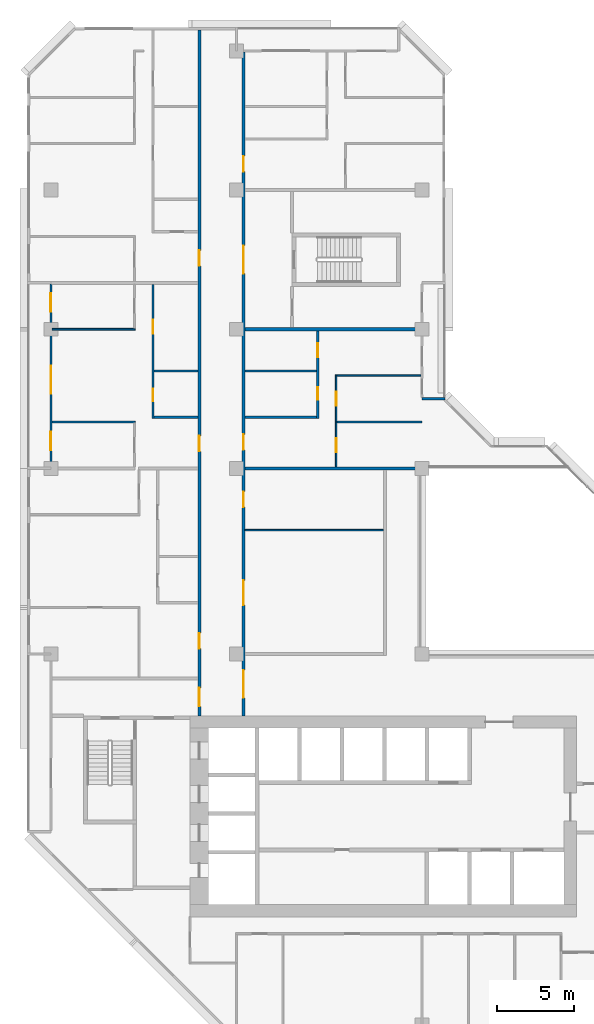
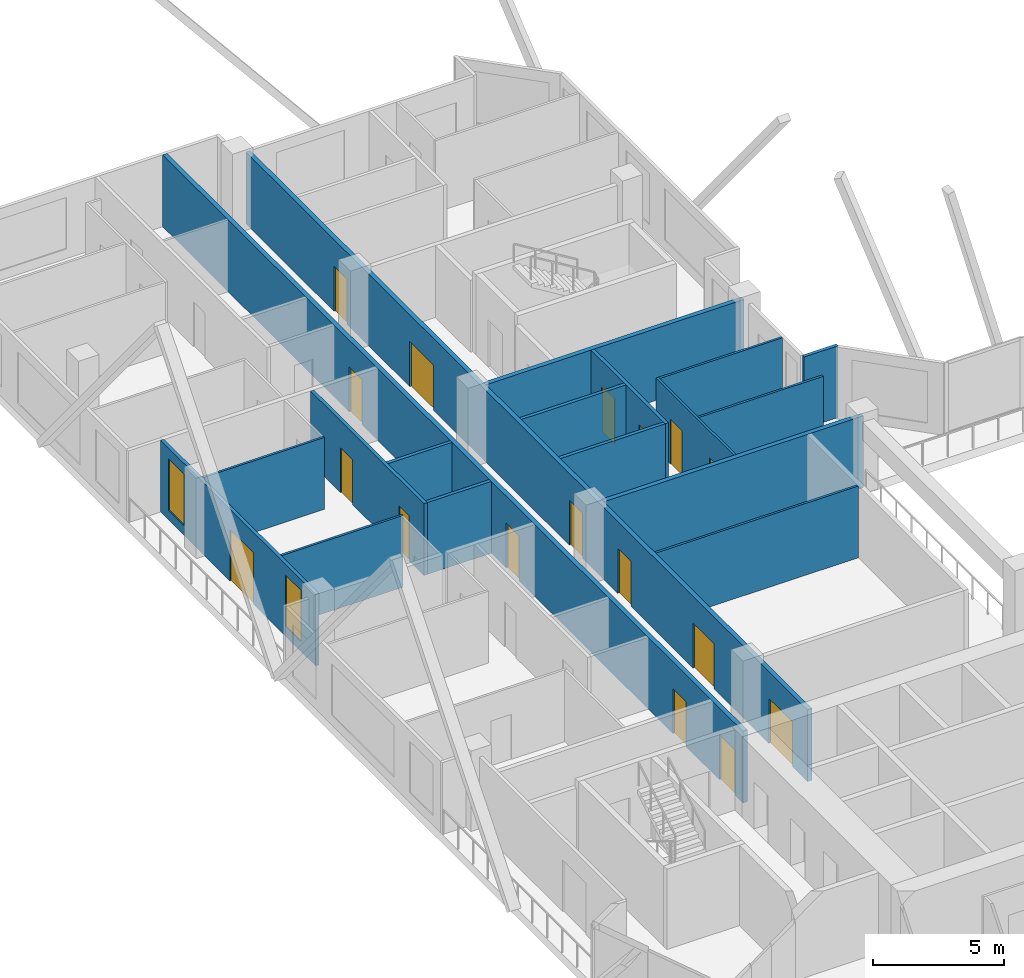
# One storey, part 9 of 15: 18 walls, 17 doors, 2 windows, 19 openings.
"""IFC4 building model written with IfcOpenShell, lengths in metres."""

import ifcopenshell
import ifcopenshell.guid

model = None  # the IFC model being written
_history = None  # IfcOwnerHistory: only IFC2X3 demands one
_inside = {}  # id of a spatial element -> (the spatial element, [elements in it])
_under = {}  # id of a project, library or spatial element -> (it, [spatial elements below it])
_declared = {}  # id of a project -> (the project, [libraries it declares])
_typed = {}  # id of a type object -> (the type object, [elements of that type])
_made_of = {}  # id of a material, layer set ... -> (it, [elements and type objects made of it])


def new_model(schema):
    """Start an empty IFC model of exactly this schema.

    Asked for "IFC4X3", IfcOpenShell would pick the latest addendum, in which some entities
    have other attributes; the version numbers below select the first issue.
    IFC2X3 requires an IfcOwnerHistory on every rooted entity: one is made here for all.
    """
    global model, _history
    if schema == "IFC4X3":
        model = ifcopenshell.file(schema_version=(4, 3, 0, 0))
    else:
        model = ifcopenshell.file(schema=schema)
    _inside.clear()
    _under.clear()
    _declared.clear()
    _typed.clear()
    _made_of.clear()
    _history = None
    if model.schema == "IFC2X3":
        org = make("IfcOrganization", Name="unknown")
        user = make(
            "IfcPersonAndOrganization",
            ThePerson=make("IfcPerson", FamilyName="unknown"),
            TheOrganization=org,
        )
        app = make(
            "IfcApplication",
            ApplicationDeveloper=org,
            Version="unknown",
            ApplicationFullName="unknown",
            ApplicationIdentifier="unknown",
        )
        _history = make(
            "IfcOwnerHistory",
            OwningUser=user,
            OwningApplication=app,
            ChangeAction="ADDED",
            CreationDate=0,
        )
    return model


def make(cls, **values):
    """One entity of the class cls with the attributes given. An attribute that is None is left unset."""
    return model.create_entity(
        cls, **{name: value for name, value in values.items() if value is not None}
    )


def rooted(cls, **values):
    """An entity with a GlobalId (a new one), such as an element, a storey or a relation."""
    return make(cls, GlobalId=ifcopenshell.guid.new(), OwnerHistory=_history, **values)


def si_unit(unit_type, name, prefix=None):
    """IfcSIUnit, for example si_unit("LENGTHUNIT", "METRE", prefix="MILLI")."""
    return make("IfcSIUnit", UnitType=unit_type, Prefix=prefix, Name=name)


def assignment(units):
    """IfcUnitAssignment: the units of a project."""
    return None if units is None else make("IfcUnitAssignment", Units=units)


def point(xyz):
    """IfcCartesianPoint."""
    return None if xyz is None else make("IfcCartesianPoint", Coordinates=xyz)


def direction(xyz):
    """IfcDirection."""
    return None if xyz is None else make("IfcDirection", DirectionRatios=xyz)


def frame(location, z_axis=None, x_axis=None):
    """IfcAxis2Placement3D, a coordinate frame: its origin and axes. An axis left out is left unset."""
    return make(
        "IfcAxis2Placement3D",
        Location=point(location),
        Axis=direction(z_axis),
        RefDirection=direction(x_axis),
    )


def frame_2d(location, x_axis=None):
    """IfcAxis2Placement2D, a coordinate frame in the plane: its origin and x axis."""
    return make(
        "IfcAxis2Placement2D", Location=point(location), RefDirection=direction(x_axis)
    )


def origin():
    """The frame at (0, 0, 0) with its axes left unset."""
    return frame((0.0, 0.0, 0.0))


def place(relative_to, where):
    """IfcLocalPlacement: puts the frame where relative to a parent placement (None: the world)."""
    return make(
        "IfcLocalPlacement", PlacementRelTo=relative_to, RelativePlacement=where
    )


def context(
    kind, dimensions, precision=None, world=None, true_north=None, identifier=None
):
    """IfcGeometricRepresentationContext, for example the 3D "Model" context."""
    return make(
        "IfcGeometricRepresentationContext",
        ContextIdentifier=identifier,
        ContextType=kind,
        CoordinateSpaceDimension=dimensions,
        Precision=precision,
        WorldCoordinateSystem=world,
        TrueNorth=true_north,
    )


def subcontext(parent, identifier, kind, view, scale=None):
    """IfcGeometricRepresentationSubContext, for example "Body" below "Model"."""
    return make(
        "IfcGeometricRepresentationSubContext",
        ContextIdentifier=identifier,
        ContextType=kind,
        ParentContext=parent,
        TargetScale=scale,
        TargetView=view,
    )


def project(units=None, contexts=None):
    """IfcProject with its units and contexts."""
    return rooted(
        "IfcProject",
        Name="project",
        RepresentationContexts=contexts,
        UnitsInContext=assignment(units),
    )


def spatial(cls, under=None, at=None, **own):
    """A site, building, storey or space (cls), placed at a placement, below another one or the project."""
    s = rooted(cls, ObjectPlacement=at, **own)
    if under is not None:
        _under.setdefault(under.id(), (under, []))[1].append(s)
    return s


def profile(cls, at=None, kind="AREA", **sizes):
    """A parametric profile (cls). Its sizes go by their IFC names, for example OverallWidth=200.0."""
    return make(cls, ProfileType=kind, Position=at, **sizes)


def rectangle(**sizes):
    """IfcRectangleProfileDef."""
    return profile("IfcRectangleProfileDef", **sizes)


def extrude(swept, where, along, depth):
    """IfcExtrudedAreaSolid: the profile swept, set in the frame where, extruded along a direction by depth."""
    return make(
        "IfcExtrudedAreaSolid",
        SweptArea=swept,
        Position=where,
        ExtrudedDirection=direction(along),
        Depth=depth,
    )


def shape(context_of_items, identifier, shape_type, items):
    """IfcShapeRepresentation: the items that make up one representation, for example the "Body"."""
    return make(
        "IfcShapeRepresentation",
        ContextOfItems=context_of_items,
        RepresentationIdentifier=identifier,
        RepresentationType=shape_type,
        Items=items,
    )


def material(Name=None, Category=None):
    """IfcMaterial."""
    return make("IfcMaterial", Name=Name, Category=Category)


def layer(
    of_material, thickness, ventilated=None, Name=None, Category=None, Priority=None
):
    """IfcMaterialLayer: one layer of a wall or slab, of a material (None: an air gap)."""
    return make(
        "IfcMaterialLayer",
        Material=of_material,
        LayerThickness=thickness,
        IsVentilated=ventilated,
        Name=Name,
        Category=Category,
        Priority=Priority,
    )


def layer_set(layers, Name=None):
    """IfcMaterialLayerSet."""
    return make("IfcMaterialLayerSet", MaterialLayers=layers, LayerSetName=Name)


def made_of(thing, what):
    """Note that an element or type object is made of a material, layer set ...; save() writes the relation."""
    if what is not None:
        _made_of.setdefault(what.id(), (what, []))[1].append(thing)
    return thing


def type_object(cls, material=None, **own):
    """A type object (cls), such as IfcWallType, which elements share."""
    return made_of(rooted(cls, **own), material)


def element(
    cls,
    number,
    at=None,
    inside=None,
    cuts=None,
    type_object=None,
    material=None,
    context=None,
    identifier="Body",
    shape_type=None,
    held_by="IfcProductDefinitionShape",
    body=None,
    shapes=None,
    **own,
):
    """One element of the class cls, such as IfcWall. Its Tag is "e" and its number.

    at: its placement. inside: the storey or other place that contains it. cuts: it is an
    opening in that element (IfcRelVoidsElement). A single representation is given by context,
    identifier, shape_type and body (its items); several are given by shapes. held_by: the class
    of the entity that holds the representations. save() writes the other relations.
    """
    e = rooted(cls, Tag="e%d" % number, ObjectPlacement=at, **own)
    if body is not None:
        shapes = [shape(context, identifier, shape_type, body)]
    if shapes is not None:
        e.Representation = make(held_by, Representations=shapes)
    if inside is not None:
        _inside.setdefault(inside.id(), (inside, []))[1].append(e)
    if cuts is not None:
        rooted(
            "IfcRelVoidsElement", RelatingBuildingElement=cuts, RelatedOpeningElement=e
        )
    if type_object is not None:
        _typed.setdefault(type_object.id(), (type_object, []))[1].append(e)
    return made_of(e, material)


def fill(opening, filler):
    """IfcRelFillsElement: the door or window that sits in an opening."""
    return rooted(
        "IfcRelFillsElement",
        RelatingOpeningElement=opening,
        RelatedBuildingElement=filler,
    )


def aggregate(whole, parts):
    """IfcRelAggregates: a whole, such as a stair, and the parts it consists of."""
    return rooted("IfcRelAggregates", RelatingObject=whole, RelatedObjects=parts)


def save(model, path):
    """Write the relations noted so far, then the file.

    IfcRelAggregates (storeys below a building ...), IfcRelContainedInSpatialStructure (elements
    in a storey), IfcRelDefinesByType, IfcRelAssociatesMaterial and IfcRelDeclares: one each for
    every whole, place, type object, material and project.
    """
    for whole, parts in _under.values():
        aggregate(whole, parts)
    for where, things in _inside.values():
        rooted(
            "IfcRelContainedInSpatialStructure",
            RelatedElements=things,
            RelatingStructure=where,
        )
    for kind, things in _typed.values():
        rooted("IfcRelDefinesByType", RelatedObjects=things, RelatingType=kind)
    for what, things in _made_of.values():
        rooted("IfcRelAssociatesMaterial", RelatedObjects=things, RelatingMaterial=what)
    for by, libraries in _declared.values():
        rooted("IfcRelDeclares", RelatingContext=by, RelatedDefinitions=libraries)
    model.write(path)


model = new_model("IFC4")

# Units and contexts
model_context = context("Model", 3, precision=1e-05, world=origin(), true_north=direction((0.0, 1.0)))
body_context = subcontext(model_context, "Body", "Model", "MODEL_VIEW")
ifc_project = project(units=[si_unit("LENGTHUNIT", "METRE"), si_unit("AREAUNIT", "SQUARE_METRE"), si_unit("VOLUMEUNIT", "CUBIC_METRE"), si_unit("PLANEANGLEUNIT", "RADIAN"), si_unit("MASSUNIT", "GRAM", prefix="KILO")], contexts=[model_context])

# Site, building, storey
site_placement = place(None, origin())
site = spatial("IfcSite", under=ifc_project, at=site_placement, CompositionType="ELEMENT")
building_placement = place(site_placement, origin())
building = spatial("IfcBuilding", under=site, at=building_placement, Name="Chenar Terraces", CompositionType="ELEMENT")
storey_placement = place(building_placement, frame((0.0, 0.0, 194.89990234375)))
storey = spatial("IfcBuildingStorey", under=building, at=storey_placement, Name="L45", CompositionType="ELEMENT", Elevation=194.89990234375)

# Wall, openings, doors
ifc_material_1 = material(Name="Gypsum board on steel studs with fire boards", Category="steel")
ifc_layer_1 = layer(ifc_material_1, 0.199951171875)
ifc_layer_set_1 = layer_set([ifc_layer_1], Name="Gypsum board on steel studs with fire boards")
wall_type_1 = type_object("IfcWallType", Name="Corridor wall 200", PredefinedType="PARTITIONING", material=ifc_layer_set_1)
wall_1_placement = place(storey_placement, frame((9.60009765625, 20.0, 0.0), z_axis=(0.0, 0.0, 1.0), x_axis=(0.0, 1.0, 0.0)))
wall_1 = element("IfcWall", 1, at=wall_1_placement, inside=storey, type_object=wall_type_1, Name="Partition L45-033", PredefinedType="PARTITIONING", context=body_context, shape_type="SweptSolid", body=[
    extrude(rectangle(XDim=44.35009765625, YDim=0.199951171875, at=frame_2d((22.175048828125, 0.0))), origin(), (0.0, 0.0, 1.0), 3.35009765625),
])
opening_1_placement = place(wall_1_placement, frame((17.10009765625, 0.0, 0.0)))
opening_1 = element("IfcOpeningElement", 2, at=opening_1_placement, cuts=wall_1, Name="Opening DL45-29", PredefinedType="OPENING", context=body_context, shape_type="SweptSolid", body=[
    extrude(rectangle(XDim=1.0, YDim=2.10009765625, at=frame_2d((0.5, 1.050048828125))), frame((0.0, 0.10986328125, 0.0), z_axis=(0.0, -1.0, 0.0), x_axis=(1.0, 0.0, 0.0)), (0.0, 0.0, 1.0), 0.219970703125),
])
opening_2_placement = place(wall_1_placement, frame((29.10009765625, 0.0, 0.0)))
opening_2 = element("IfcOpeningElement", 3, at=opening_2_placement, cuts=wall_1, Name="Opening DL45-35", PredefinedType="OPENING", context=body_context, shape_type="SweptSolid", body=[
    extrude(rectangle(XDim=1.0, YDim=2.10009765625, at=frame_2d((0.5, 1.050048828125))), frame((0.0, 0.10986328125, 0.0), z_axis=(0.0, -1.0, 0.0), x_axis=(1.0, 0.0, 0.0)), (0.0, 0.0, 1.0), 0.219970703125),
])
opening_3_placement = place(wall_1_placement, frame((0.60009765625, 0.0, 0.0)))
opening_3 = element("IfcOpeningElement", 4, at=opening_3_placement, cuts=wall_1, Name="Opening DL45-39", PredefinedType="OPENING", context=body_context, shape_type="SweptSolid", body=[
    extrude(rectangle(XDim=1.199951171875, YDim=2.10009765625, at=frame_2d((0.60009765625, 1.050048828125))), frame((0.0, 0.10986328125, 0.0), z_axis=(0.0, -1.0, 0.0), x_axis=(1.0, 0.0, 0.0)), (0.0, 0.0, 1.0), 0.219970703125),
])
opening_4_placement = place(wall_1_placement, frame((4.35009765625, 0.0, 0.0)))
opening_4 = element("IfcOpeningElement", 5, at=opening_4_placement, cuts=wall_1, Name="Opening DL45-60", PredefinedType="OPENING", context=body_context, shape_type="SweptSolid", body=[
    extrude(rectangle(XDim=1.0, YDim=2.10009765625, at=frame_2d((0.5, 1.050048828125))), frame((0.0, 0.10986328125, 0.0), z_axis=(0.0, -1.0, 0.0), x_axis=(1.0, 0.0, 0.0)), (0.0, 0.0, 1.0), 0.219970703125),
])
ifc_material_2 = material(Name="Steel-framed fire-resisting door leaf", Category="steel")
door_type_1 = type_object("IfcDoorType", Name="Fire door FD30S 1000 x 2100", OperationType="SINGLE_SWING_LEFT", PredefinedType="DOOR", material=ifc_material_2)
door_1_placement = place(opening_1_placement, origin())
door_1 = element("IfcDoor", 6, at=door_1_placement, inside=storey, type_object=door_type_1, Name="Door DL45-29", OperationType="SINGLE_SWING_LEFT", OverallHeight=2.10009765625, OverallWidth=1.0, PredefinedType="DOOR", context=body_context, shape_type="SweptSolid", body=[
    extrude(rectangle(XDim=1.0, YDim=2.10009765625, at=frame_2d((0.5, 1.050048828125))), frame((0.0, 0.02490234375, 0.0), z_axis=(0.0, -1.0, 0.0), x_axis=(1.0, 0.0, 0.0)), (0.0, 0.0, 1.0), 0.050048828125),
])
fill(opening_1, door_1)
door_2_placement = place(opening_2_placement, origin())
door_2 = element("IfcDoor", 7, at=door_2_placement, inside=storey, type_object=door_type_1, Name="Door DL45-35", OperationType="SINGLE_SWING_LEFT", OverallHeight=2.10009765625, OverallWidth=1.0, PredefinedType="DOOR", context=body_context, shape_type="SweptSolid", body=[
    extrude(rectangle(XDim=1.0, YDim=2.10009765625, at=frame_2d((0.5, 1.050048828125))), frame((0.0, 0.02490234375, 0.0), z_axis=(0.0, -1.0, 0.0), x_axis=(1.0, 0.0, 0.0)), (0.0, 0.0, 1.0), 0.050048828125),
])
fill(opening_2, door_2)
door_3_placement = place(opening_4_placement, origin())
door_3 = element("IfcDoor", 8, at=door_3_placement, inside=storey, type_object=door_type_1, Name="Door DL45-60", OperationType="SINGLE_SWING_RIGHT", OverallHeight=2.10009765625, OverallWidth=1.0, PredefinedType="DOOR", context=body_context, shape_type="SweptSolid", body=[
    extrude(rectangle(XDim=1.0, YDim=2.10009765625, at=frame_2d((0.5, 1.050048828125))), frame((0.0, 0.02490234375, 0.0), z_axis=(0.0, -1.0, 0.0), x_axis=(1.0, 0.0, 0.0)), (0.0, 0.0, 1.0), 0.050048828125),
])
fill(opening_4, door_3)
ifc_material_3 = material(Name="Steel-framed fire-resisting door leaf", Category="steel")
door_type_2 = type_object("IfcDoorType", Name="Fire door FD30S 1200 x 2100", OperationType="SINGLE_SWING_LEFT", PredefinedType="DOOR", material=ifc_material_3)
door_4_placement = place(opening_3_placement, origin())
door_4 = element("IfcDoor", 9, at=door_4_placement, inside=storey, type_object=door_type_2, Name="Door DL45-39", OperationType="SINGLE_SWING_RIGHT", OverallHeight=2.10009765625, OverallWidth=1.199951171875, PredefinedType="DOOR", context=body_context, shape_type="SweptSolid", body=[
    extrude(rectangle(XDim=1.199951171875, YDim=2.10009765625, at=frame_2d((0.60009765625, 1.050048828125))), frame((0.0, 0.02490234375, 0.0), z_axis=(0.0, -1.0, 0.0), x_axis=(1.0, 0.0, 0.0)), (0.0, 0.0, 1.0), 0.050048828125),
])
fill(opening_3, door_4)

wall_2_placement = place(storey_placement, frame((12.449951171875, 20.0, 0.0), z_axis=(0.0, 0.0, 1.0), x_axis=(0.0, 1.0, 0.0)))
wall_2 = element("IfcWall", 10, at=wall_2_placement, inside=storey, type_object=wall_type_1, Name="Partition L45-036", PredefinedType="PARTITIONING", context=body_context, shape_type="SweptSolid", body=[
    extrude(rectangle(XDim=42.926025390625, YDim=0.199951171875, at=frame_2d((21.462890625, 0.0))), origin(), (0.0, 0.0, 1.0), 3.35009765625),
])
opening_5_placement = place(wall_2_placement, frame((7.14990234375, 0.0, 0.0)))
opening_5 = element("IfcOpeningElement", 11, at=opening_5_placement, cuts=wall_2, Name="Opening DL45-1", PredefinedType="OPENING", context=body_context, shape_type="SweptSolid", body=[
    extrude(rectangle(XDim=1.60009765625, YDim=2.10009765625, at=frame_2d((0.800048828125, 1.050048828125))), frame((0.0, 0.10986328125, 0.0), z_axis=(0.0, -1.0, 0.0), x_axis=(1.0, 0.0, 0.0)), (0.0, 0.0, 1.0), 0.219970703125),
])
opening_6_placement = place(wall_2_placement, frame((13.5, 0.0, 0.0)))
opening_6 = element("IfcOpeningElement", 12, at=opening_6_placement, cuts=wall_2, Name="Opening DL45-2", PredefinedType="OPENING", context=body_context, shape_type="SweptSolid", body=[
    extrude(rectangle(XDim=1.0, YDim=2.10009765625, at=frame_2d((0.5, 1.050048828125))), frame((0.0, 0.10986328125, 0.0), z_axis=(0.0, -1.0, 0.0), x_axis=(1.0, 0.0, 0.0)), (0.0, 0.0, 1.0), 0.219970703125),
])
opening_7_placement = place(wall_2_placement, frame((17.199951171875, 0.0, 0.0)))
opening_7 = element("IfcOpeningElement", 13, at=opening_7_placement, cuts=wall_2, Name="Opening DL45-19", PredefinedType="OPENING", context=body_context, shape_type="SweptSolid", body=[
    extrude(rectangle(XDim=1.0, YDim=2.10009765625, at=frame_2d((0.5, 1.050048828125))), frame((0.0, 0.10986328125, 0.0), z_axis=(0.0, -1.0, 0.0), x_axis=(1.0, 0.0, 0.0)), (0.0, 0.0, 1.0), 0.219970703125),
])
opening_8_placement = place(wall_2_placement, frame((35.199951171875, 0.0, 0.0)))
opening_8 = element("IfcOpeningElement", 14, at=opening_8_placement, cuts=wall_2, Name="Opening DL45-24", PredefinedType="OPENING", context=body_context, shape_type="SweptSolid", body=[
    extrude(rectangle(XDim=1.0, YDim=2.10009765625, at=frame_2d((0.5, 1.050048828125))), frame((0.0, 0.10986328125, 0.0), z_axis=(0.0, -1.0, 0.0), x_axis=(1.0, 0.0, 0.0)), (0.0, 0.0, 1.0), 0.219970703125),
])
opening_9_placement = place(wall_2_placement, frame((1.14990234375, 0.0, 0.0)))
opening_9 = element("IfcOpeningElement", 15, at=opening_9_placement, cuts=wall_2, Name="Opening DL45-38", PredefinedType="OPENING", context=body_context, shape_type="SweptSolid", body=[
    extrude(rectangle(XDim=1.800048828125, YDim=2.10009765625, at=frame_2d((0.89990234375, 1.050048828125))), frame((0.0, 0.10986328125, 0.0), z_axis=(0.0, -1.0, 0.0), x_axis=(1.0, 0.0, 0.0)), (0.0, 0.0, 1.0), 0.219970703125),
])
opening_10_placement = place(wall_2_placement, frame((28.60009765625, 0.0, 0.0)))
opening_10 = element("IfcOpeningElement", 16, at=opening_10_placement, cuts=wall_2, Name="Opening DL45-40", PredefinedType="OPENING", context=body_context, shape_type="SweptSolid", body=[
    extrude(rectangle(XDim=1.800048828125, YDim=2.10009765625, at=frame_2d((0.89990234375, 1.050048828125))), frame((0.0, 0.10986328125, 0.0), z_axis=(0.0, -1.0, 0.0), x_axis=(1.0, 0.0, 0.0)), (0.0, 0.0, 1.0), 0.219970703125),
])
ifc_material_4 = material(Name="Steel-framed fire-resisting door leaf", Category="steel")
door_type_3 = type_object("IfcDoorType", Name="Fire door FD60 1000 x 2100", OperationType="SINGLE_SWING_LEFT", PredefinedType="DOOR", material=ifc_material_4)
door_5_placement = place(opening_6_placement, frame((1.0, 0.0, 0.0), z_axis=(0.0, 0.0, 1.0), x_axis=(-1.0, 0.0, 0.0)))
door_5 = element("IfcDoor", 17, at=door_5_placement, inside=storey, type_object=door_type_3, Name="Door DL45-2", OperationType="SINGLE_SWING_LEFT", OverallHeight=2.10009765625, OverallWidth=1.0, PredefinedType="DOOR", context=body_context, shape_type="SweptSolid", body=[
    extrude(rectangle(XDim=1.0, YDim=2.10009765625, at=frame_2d((0.5, 1.050048828125))), frame((0.0, 0.02490234375, 0.0), z_axis=(0.0, -1.0, 0.0), x_axis=(1.0, 0.0, 0.0)), (0.0, 0.0, 1.0), 0.050048828125),
])
fill(opening_6, door_5)
door_6_placement = place(opening_7_placement, frame((1.0, 0.0, 0.0), z_axis=(0.0, 0.0, 1.0), x_axis=(-1.0, 0.0, 0.0)))
door_6 = element("IfcDoor", 18, at=door_6_placement, inside=storey, type_object=door_type_3, Name="Door DL45-19", OperationType="SINGLE_SWING_LEFT", OverallHeight=2.10009765625, OverallWidth=1.0, PredefinedType="DOOR", context=body_context, shape_type="SweptSolid", body=[
    extrude(rectangle(XDim=1.0, YDim=2.10009765625, at=frame_2d((0.5, 1.050048828125))), frame((0.0, 0.02490234375, 0.0), z_axis=(0.0, -1.0, 0.0), x_axis=(1.0, 0.0, 0.0)), (0.0, 0.0, 1.0), 0.050048828125),
])
fill(opening_7, door_6)
door_7_placement = place(opening_8_placement, frame((1.0, 0.0, 0.0), z_axis=(0.0, 0.0, 1.0), x_axis=(-1.0, 0.0, 0.0)))
door_7 = element("IfcDoor", 19, at=door_7_placement, inside=storey, type_object=door_type_3, Name="Door DL45-24", OperationType="SINGLE_SWING_LEFT", OverallHeight=2.10009765625, OverallWidth=1.0, PredefinedType="DOOR", context=body_context, shape_type="SweptSolid", body=[
    extrude(rectangle(XDim=1.0, YDim=2.10009765625, at=frame_2d((0.5, 1.050048828125))), frame((0.0, 0.02490234375, 0.0), z_axis=(0.0, -1.0, 0.0), x_axis=(1.0, 0.0, 0.0)), (0.0, 0.0, 1.0), 0.050048828125),
])
fill(opening_8, door_7)
ifc_material_5 = material(Name="Steel-framed fire-resisting door leaf", Category="steel")
door_type_4 = type_object("IfcDoorType", Name="Fire double door FD60 1600 x 2100", OperationType="DOUBLE_DOOR_SINGLE_SWING", PredefinedType="DOOR", material=ifc_material_5)
door_8_placement = place(opening_5_placement, frame((1.60009765625, 0.0, 0.0), z_axis=(0.0, 0.0, 1.0), x_axis=(-1.0, 0.0, 0.0)))
door_8 = element("IfcDoor", 20, at=door_8_placement, inside=storey, type_object=door_type_4, Name="Door DL45-1", OperationType="DOUBLE_DOOR_SINGLE_SWING", OverallHeight=2.10009765625, OverallWidth=1.60009765625, PredefinedType="DOOR", context=body_context, shape_type="SweptSolid", body=[
    extrude(rectangle(XDim=1.60009765625, YDim=2.10009765625, at=frame_2d((0.800048828125, 1.050048828125))), frame((0.0, 0.02490234375, 0.0), z_axis=(0.0, -1.0, 0.0), x_axis=(1.0, 0.0, 0.0)), (0.0, 0.0, 1.0), 0.050048828125),
])
fill(opening_5, door_8)
ifc_material_6 = material(Name="Steel-framed fire-resisting door leaf", Category="steel")
door_type_5 = type_object("IfcDoorType", Name="Fire double door FD60 1800 x 2100", OperationType="DOUBLE_DOOR_SINGLE_SWING", PredefinedType="DOOR", material=ifc_material_6)
door_9_placement = place(opening_9_placement, frame((1.800048828125, 0.0, 0.0), z_axis=(0.0, 0.0, 1.0), x_axis=(-1.0, 0.0, 0.0)))
door_9 = element("IfcDoor", 21, at=door_9_placement, inside=storey, type_object=door_type_5, Name="Door DL45-38", OperationType="DOUBLE_DOOR_SINGLE_SWING", OverallHeight=2.10009765625, OverallWidth=1.800048828125, PredefinedType="DOOR", context=body_context, shape_type="SweptSolid", body=[
    extrude(rectangle(XDim=1.800048828125, YDim=2.10009765625, at=frame_2d((0.89990234375, 1.050048828125))), frame((0.0, 0.02490234375, 0.0), z_axis=(0.0, -1.0, 0.0), x_axis=(1.0, 0.0, 0.0)), (0.0, 0.0, 1.0), 0.050048828125),
])
fill(opening_9, door_9)
door_10_placement = place(opening_10_placement, frame((1.800048828125, 0.0, 0.0), z_axis=(0.0, 0.0, 1.0), x_axis=(-1.0, 0.0, 0.0)))
door_10 = element("IfcDoor", 22, at=door_10_placement, inside=storey, type_object=door_type_5, Name="Door DL45-40", OperationType="DOUBLE_DOOR_SINGLE_SWING", OverallHeight=2.10009765625, OverallWidth=1.800048828125, PredefinedType="DOOR", context=body_context, shape_type="SweptSolid", body=[
    extrude(rectangle(XDim=1.800048828125, YDim=2.10009765625, at=frame_2d((0.89990234375, 1.050048828125))), frame((0.0, 0.02490234375, 0.0), z_axis=(0.0, -1.0, 0.0), x_axis=(1.0, 0.0, 0.0)), (0.0, 0.0, 1.0), 0.050048828125),
])
fill(opening_10, door_10)

# Wall, openings, windows, door
ifc_material_7 = material(Name="Aluminium framed glazing", Category="aluminium")
ifc_layer_2 = layer(ifc_material_7, 0.14990234375)
ifc_layer_set_2 = layer_set([ifc_layer_2], Name="Aluminium framed glazing")
wall_type_2 = type_object("IfcWallType", Name="Glazed loggia back wall 150", PredefinedType="SOLIDWALL", material=ifc_layer_set_2)
wall_3_placement = place(storey_placement, frame((0.0, 47.925048828125, 0.0), z_axis=(0.0, 0.0, 1.0), x_axis=(0.0, -1.0, 0.0)))
wall_3 = element("IfcWall", 23, at=wall_3_placement, inside=storey, type_object=wall_type_2, Name="Glazed loggia back wall", PredefinedType="SOLIDWALL", context=body_context, shape_type="SweptSolid", body=[
    extrude(rectangle(XDim=11.85009765625, YDim=0.14990234375, at=frame_2d((5.925048828125, 0.0))), origin(), (0.0, 0.0, 1.0), 3.35009765625),
])
opening_11_placement = place(wall_3_placement, frame((0.58740234375, 0.0, 0.449951171875)))
opening_11 = element("IfcOpeningElement", 24, at=opening_11_placement, cuts=wall_3, Name="Opening W120x240", PredefinedType="OPENING", context=body_context, shape_type="SweptSolid", body=[
    extrude(rectangle(XDim=1.199951171875, YDim=2.39990234375, at=frame_2d((0.60009765625, 1.199951171875))), frame((0.0, 0.0849609375, 0.0), z_axis=(0.0, -1.0, 0.0), x_axis=(1.0, 0.0, 0.0)), (0.0, 0.0, 1.0), 0.169921875),
])
opening_12_placement = place(wall_3_placement, frame((5.300048828125, 0.0, 0.0)))
opening_12 = element("IfcOpeningElement", 25, at=opening_12_placement, cuts=wall_3, Name="Opening DL45-G3", PredefinedType="OPENING", context=body_context, shape_type="SweptSolid", body=[
    extrude(rectangle(XDim=1.800048828125, YDim=2.39990234375, at=frame_2d((0.89990234375, 1.199951171875))), frame((0.0, 0.0849609375, 0.0), z_axis=(0.0, -1.0, 0.0), x_axis=(1.0, 0.0, 0.0)), (0.0, 0.0, 1.0), 0.169921875),
])
opening_13_placement = place(wall_3_placement, frame((9.550048828125, 0.0, 0.449951171875)))
opening_13 = element("IfcOpeningElement", 26, at=opening_13_placement, cuts=wall_3, Name="Opening W120x240", PredefinedType="OPENING", context=body_context, shape_type="SweptSolid", body=[
    extrude(rectangle(XDim=1.199951171875, YDim=2.39990234375, at=frame_2d((0.60009765625, 1.199951171875))), frame((0.0, 0.0849609375, 0.0), z_axis=(0.0, -1.0, 0.0), x_axis=(1.0, 0.0, 0.0)), (0.0, 0.0, 1.0), 0.169921875),
])
ifc_material_8 = material(Name="Low emissivity double glazing, aluminium frame", Category="aluminium")
window_type = type_object("IfcWindowType", Name="Fixed light 1200 x 2400", PartitioningType="SINGLE_PANEL", PredefinedType="WINDOW", material=ifc_material_8)
window_1_placement = place(opening_11_placement, origin())
window_1 = element("IfcWindow", 27, at=window_1_placement, inside=storey, type_object=window_type, Name="Window", OverallHeight=2.39990234375, OverallWidth=1.199951171875, PartitioningType="SINGLE_PANEL", PredefinedType="WINDOW", context=body_context, shape_type="SweptSolid", body=[
    extrude(rectangle(XDim=1.199951171875, YDim=2.39990234375, at=frame_2d((0.60009765625, 1.199951171875))), frame((0.0, 0.030029296875, 0.0), z_axis=(0.0, -1.0, 0.0), x_axis=(1.0, 0.0, 0.0)), (0.0, 0.0, 1.0), 0.06005859375),
])
fill(opening_11, window_1)
window_2_placement = place(opening_13_placement, origin())
window_2 = element("IfcWindow", 28, at=window_2_placement, inside=storey, type_object=window_type, Name="Window", OverallHeight=2.39990234375, OverallWidth=1.199951171875, PartitioningType="SINGLE_PANEL", PredefinedType="WINDOW", context=body_context, shape_type="SweptSolid", body=[
    extrude(rectangle(XDim=1.199951171875, YDim=2.39990234375, at=frame_2d((0.60009765625, 1.199951171875))), frame((0.0, 0.030029296875, 0.0), z_axis=(0.0, -1.0, 0.0), x_axis=(1.0, 0.0, 0.0)), (0.0, 0.0, 1.0), 0.06005859375),
])
fill(opening_13, window_2)
ifc_material_9 = material(Name="Low emissivity double glazing, aluminium frame", Category="aluminium")
door_type_6 = type_object("IfcDoorType", Name="Loggia glazed double door 1800 x 2400", OperationType="DOUBLE_DOOR_SINGLE_SWING", PredefinedType="DOOR", material=ifc_material_9)
door_11_placement = place(opening_12_placement, frame((1.800048828125, 0.0, 0.0), z_axis=(0.0, 0.0, 1.0), x_axis=(-1.0, 0.0, 0.0)))
door_11 = element("IfcDoor", 29, at=door_11_placement, inside=storey, type_object=door_type_6, Name="Loggia glazed door", OperationType="DOUBLE_DOOR_SINGLE_SWING", OverallHeight=2.39990234375, OverallWidth=1.800048828125, PredefinedType="DOOR", context=body_context, shape_type="SweptSolid", body=[
    extrude(rectangle(XDim=1.800048828125, YDim=2.39990234375, at=frame_2d((0.89990234375, 1.199951171875))), frame((0.0, 0.02490234375, 0.0), z_axis=(0.0, -1.0, 0.0), x_axis=(1.0, 0.0, 0.0)), (0.0, 0.0, 1.0), 0.050048828125),
])
fill(opening_12, door_11)

# Walls
ifc_material_10 = material(Name="Gypsum board on steel studs", Category="steel")
ifc_layer_3 = layer(ifc_material_10, 0.10009765625)
ifc_layer_set_3 = layer_set([ifc_layer_3], Name="Gypsum board on steel studs")
wall_type_3 = type_object("IfcWallType", Name="Gypsum partition 100", PredefinedType="PARTITIONING", material=ifc_layer_set_3)
for number, where, z_axis, x_axis, name in (
    (30, (0.073974609375, 39.0, 0.0), (0.0, 0.0, 1.0), (1.0, 0.0, 0.0), "Partition L45-010"),
    (31, (0.073974609375, 45.0, 0.0), (0.0, 0.0, 1.0), (1.0, 0.0, 0.0), "Partition L45-011"),
):
    element("IfcWall", number, at=place(storey_placement, frame(where, z_axis=z_axis, x_axis=x_axis)), inside=storey, type_object=wall_type_3, Name=name, PredefinedType="PARTITIONING", context=body_context, shape_type="SweptSolid", body=[
        extrude(rectangle(XDim=5.3759765625, YDim=0.10009765625, at=frame_2d((2.68798828125, 0.0))), origin(), (0.0, 0.0, 1.0), 3.35009765625),
    ])
wall_4_placement = place(storey_placement, frame((12.550048828125, 32.0, 0.0), z_axis=(0.0, 0.0, 1.0), x_axis=(1.0, 0.0, 0.0)))
element("IfcWall", 32, at=wall_4_placement, inside=storey, type_object=wall_type_3, Name="Partition L45-038", PredefinedType="PARTITIONING", context=body_context, shape_type="SweptSolid", body=[
    extrude(rectangle(XDim=8.949951171875, YDim=0.10009765625, at=frame_2d((4.47509765625, 0.0))), origin(), (0.0, 0.0, 1.0), 3.35009765625),
])

# Wall, openings, doors
wall_5_placement = place(storey_placement, frame((18.449951171875, 36.10009765625, 0.0), z_axis=(0.0, 0.0, 1.0), x_axis=(0.0, 1.0, 0.0)))
wall_5 = element("IfcWall", 33, at=wall_5_placement, inside=storey, type_object=wall_type_3, Name="Partition L45-051", PredefinedType="PARTITIONING", context=body_context, shape_type="SweptSolid", body=[
    extrude(rectangle(XDim=5.949951171875, YDim=0.10009765625, at=frame_2d((2.97509765625, 0.0))), origin(), (0.0, 0.0, 1.0), 3.35009765625),
])
opening_14_placement = place(wall_5_placement, frame((0.949951171875, 0.0, 0.0)))
opening_14 = element("IfcOpeningElement", 34, at=opening_14_placement, cuts=wall_5, Name="Opening DL45-16", PredefinedType="OPENING", context=body_context, shape_type="SweptSolid", body=[
    extrude(rectangle(XDim=0.89990234375, YDim=2.10009765625, at=frame_2d((0.449951171875, 1.050048828125))), frame((0.0, 0.06005859375, 0.0), z_axis=(0.0, -1.0, 0.0), x_axis=(1.0, 0.0, 0.0)), (0.0, 0.0, 1.0), 0.1201171875),
])
opening_15_placement = place(wall_5_placement, frame((3.949951171875, 0.0, 0.0)))
opening_15 = element("IfcOpeningElement", 35, at=opening_15_placement, cuts=wall_5, Name="Opening DL45-17", PredefinedType="OPENING", context=body_context, shape_type="SweptSolid", body=[
    extrude(rectangle(XDim=0.89990234375, YDim=2.10009765625, at=frame_2d((0.449951171875, 1.050048828125))), frame((0.0, 0.06005859375, 0.0), z_axis=(0.0, -1.0, 0.0), x_axis=(1.0, 0.0, 0.0)), (0.0, 0.0, 1.0), 0.1201171875),
])
ifc_material_11 = material(Name="Veneered timber door leaf", Category="wood")
door_type_7 = type_object("IfcDoorType", Name="Door 900 x 2100", OperationType="SINGLE_SWING_LEFT", PredefinedType="DOOR", material=ifc_material_11)
door_12_placement = place(opening_14_placement, frame((0.89990234375, 0.0, 0.0), z_axis=(0.0, 0.0, 1.0), x_axis=(-1.0, 0.0, 0.0)))
door_12 = element("IfcDoor", 36, at=door_12_placement, inside=storey, type_object=door_type_7, Name="Door DL45-16", OperationType="SINGLE_SWING_LEFT", OverallHeight=2.10009765625, OverallWidth=0.89990234375, PredefinedType="DOOR", context=body_context, shape_type="SweptSolid", body=[
    extrude(rectangle(XDim=0.89990234375, YDim=2.10009765625, at=frame_2d((0.449951171875, 1.050048828125))), frame((0.0, 0.02490234375, 0.0), z_axis=(0.0, -1.0, 0.0), x_axis=(1.0, 0.0, 0.0)), (0.0, 0.0, 1.0), 0.050048828125),
])
fill(opening_14, door_12)
door_13_placement = place(opening_15_placement, frame((0.89990234375, 0.0, 0.0), z_axis=(0.0, 0.0, 1.0), x_axis=(-1.0, 0.0, 0.0)))
door_13 = element("IfcDoor", 37, at=door_13_placement, inside=storey, type_object=door_type_7, Name="Door DL45-17", OperationType="SINGLE_SWING_LEFT", OverallHeight=2.10009765625, OverallWidth=0.89990234375, PredefinedType="DOOR", context=body_context, shape_type="SweptSolid", body=[
    extrude(rectangle(XDim=0.89990234375, YDim=2.10009765625, at=frame_2d((0.449951171875, 1.050048828125))), frame((0.0, 0.02490234375, 0.0), z_axis=(0.0, -1.0, 0.0), x_axis=(1.0, 0.0, 0.0)), (0.0, 0.0, 1.0), 0.050048828125),
])
fill(opening_15, door_13)

# Walls
wall_6_placement = place(storey_placement, frame((18.5, 39.0, 0.0), z_axis=(0.0, 0.0, 1.0), x_axis=(1.0, 0.0, 0.0)))
element("IfcWall", 38, at=wall_6_placement, inside=storey, type_object=wall_type_3, Name="Partition L45-052", PredefinedType="PARTITIONING", context=body_context, shape_type="SweptSolid", body=[
    extrude(rectangle(XDim=5.5, YDim=0.10009765625, at=frame_2d((2.75, 0.0))), origin(), (0.0, 0.0, 1.0), 3.35009765625),
])
wall_7_placement = place(storey_placement, frame((18.5, 42.0, 0.0), z_axis=(0.0, 0.0, 1.0), x_axis=(1.0, 0.0, 0.0)))
element("IfcWall", 39, at=wall_7_placement, inside=storey, type_object=wall_type_3, Name="Partition L45-053", PredefinedType="PARTITIONING", context=body_context, shape_type="SweptSolid", body=[
    extrude(rectangle(XDim=5.426025390625, YDim=0.10009765625, at=frame_2d((2.712890625, 0.0))), origin(), (0.0, 0.0, 1.0), 3.35009765625),
])
ifc_material_12 = material(Name="Terracotta cladding on insulated backing", Category="masonry")
ifc_layer_4 = layer(ifc_material_12, 0.14990234375)
ifc_layer_set_4 = layer_set([ifc_layer_4], Name="Terracotta cladding on insulated backing")
wall_type_4 = type_object("IfcWallType", Name="Loggia return wall 150", PredefinedType="SOLIDWALL", material=ifc_layer_set_4)
wall_8_placement = place(storey_placement, frame((25.5, 40.5, 0.0), z_axis=(0.0, 0.0, 1.0), x_axis=(-1.0, 0.0, 0.0)))
element("IfcWall", 40, at=wall_8_placement, inside=storey, type_object=wall_type_4, Name="Loggia return wall", PredefinedType="SOLIDWALL", context=body_context, shape_type="SweptSolid", body=[
    extrude(rectangle(XDim=1.5, YDim=0.14990234375, at=frame_2d((0.75, 0.0))), origin(), (0.0, 0.0, 1.0), 3.35009765625),
])
ifc_material_13 = material(Name="Twin gypsum board on steel studs with mineral wool", Category="steel")
ifc_layer_5 = layer(ifc_material_13, 0.199951171875)
ifc_layer_set_5 = layer_set([ifc_layer_5], Name="Twin gypsum board on steel studs with mineral wool")
wall_type_5 = type_object("IfcWallType", Name="Unit demising wall 200", PredefinedType="PARTITIONING", material=ifc_layer_set_5)
wall_9_placement = place(storey_placement, frame((12.550048828125, 36.0, 0.0), z_axis=(0.0, 0.0, 1.0), x_axis=(1.0, 0.0, 0.0)))
element("IfcWall", 41, at=wall_9_placement, inside=storey, type_object=wall_type_5, Name="Partition L45-039", PredefinedType="PARTITIONING", context=body_context, shape_type="SweptSolid", body=[
    extrude(rectangle(XDim=11.449951171875, YDim=0.199951171875, at=frame_2d((5.72509765625, 0.0))), origin(), (0.0, 0.0, 1.0), 3.35009765625),
])
wall_10_placement = place(storey_placement, frame((12.550048828125, 45.0, 0.0), z_axis=(0.0, 0.0, 1.0), x_axis=(1.0, 0.0, 0.0)))
element("IfcWall", 42, at=wall_10_placement, inside=storey, type_object=wall_type_5, Name="Partition L45-042", PredefinedType="PARTITIONING", context=body_context, shape_type="SweptSolid", body=[
    extrude(rectangle(XDim=11.3759765625, YDim=0.199951171875, at=frame_2d((5.68798828125, 0.0))), origin(), (0.0, 0.0, 1.0), 3.35009765625),
])

# Wall, openings, doors
ifc_material_14 = material(Name="Moisture-resistant gypsum board on steel studs", Category="steel")
ifc_layer_6 = layer(ifc_material_14, 0.14990234375)
ifc_layer_set_6 = layer_set([ifc_layer_6], Name="Moisture-resistant gypsum board on steel studs")
wall_type_6 = type_object("IfcWallType", Name="Wet-room partition 150", PredefinedType="PARTITIONING", material=ifc_layer_set_6)
wall_11_placement = place(storey_placement, frame((6.60009765625, 39.22509765625, 0.0), z_axis=(0.0, 0.0, 1.0), x_axis=(0.0, 1.0, 0.0)))
wall_11 = element("IfcWall", 43, at=wall_11_placement, inside=storey, type_object=wall_type_6, Name="Partition L45-021", PredefinedType="PARTITIONING", context=body_context, shape_type="SweptSolid", body=[
    extrude(rectangle(XDim=8.6748046875, YDim=0.14990234375, at=frame_2d((4.33740234375, 0.0))), origin(), (0.0, 0.0, 1.0), 3.35009765625),
])
opening_16_placement = place(wall_11_placement, frame((1.125, 0.0, 0.0)))
opening_16 = element("IfcOpeningElement", 44, at=opening_16_placement, cuts=wall_11, Name="Opening DL45-25", PredefinedType="OPENING", context=body_context, shape_type="SweptSolid", body=[
    extrude(rectangle(XDim=0.800048828125, YDim=2.10009765625, at=frame_2d((0.39990234375, 1.050048828125))), frame((0.0, 0.0849609375, 0.0), z_axis=(0.0, -1.0, 0.0), x_axis=(1.0, 0.0, 0.0)), (0.0, 0.0, 1.0), 0.169921875),
])
opening_17_placement = place(wall_11_placement, frame((5.47509765625, 0.0, 0.0)))
opening_17 = element("IfcOpeningElement", 45, at=opening_17_placement, cuts=wall_11, Name="Opening DL45-28", PredefinedType="OPENING", context=body_context, shape_type="SweptSolid", body=[
    extrude(rectangle(XDim=0.89990234375, YDim=2.10009765625, at=frame_2d((0.449951171875, 1.050048828125))), frame((0.0, 0.0849609375, 0.0), z_axis=(0.0, -1.0, 0.0), x_axis=(1.0, 0.0, 0.0)), (0.0, 0.0, 1.0), 0.169921875),
])
ifc_material_15 = material(Name="Veneered timber door leaf", Category="wood")
door_type_8 = type_object("IfcDoorType", Name="Door 800 x 2100", OperationType="SINGLE_SWING_LEFT", PredefinedType="DOOR", material=ifc_material_15)
door_14_placement = place(opening_16_placement, frame((0.800048828125, 0.0, 0.0), z_axis=(0.0, 0.0, 1.0), x_axis=(-1.0, 0.0, 0.0)))
door_14 = element("IfcDoor", 46, at=door_14_placement, inside=storey, type_object=door_type_8, Name="Door DL45-25", OperationType="SINGLE_SWING_RIGHT", OverallHeight=2.10009765625, OverallWidth=0.800048828125, PredefinedType="DOOR", context=body_context, shape_type="SweptSolid", body=[
    extrude(rectangle(XDim=0.800048828125, YDim=2.10009765625, at=frame_2d((0.39990234375, 1.050048828125))), frame((0.0, 0.02490234375, 0.0), z_axis=(0.0, -1.0, 0.0), x_axis=(1.0, 0.0, 0.0)), (0.0, 0.0, 1.0), 0.050048828125),
])
fill(opening_16, door_14)
door_15_placement = place(opening_17_placement, frame((0.89990234375, 0.0, 0.0), z_axis=(0.0, 0.0, 1.0), x_axis=(-1.0, 0.0, 0.0)))
door_15 = element("IfcDoor", 47, at=door_15_placement, inside=storey, type_object=door_type_7, Name="Door DL45-28", OperationType="SINGLE_SWING_RIGHT", OverallHeight=2.10009765625, OverallWidth=0.89990234375, PredefinedType="DOOR", context=body_context, shape_type="SweptSolid", body=[
    extrude(rectangle(XDim=0.89990234375, YDim=2.10009765625, at=frame_2d((0.449951171875, 1.050048828125))), frame((0.0, 0.02490234375, 0.0), z_axis=(0.0, -1.0, 0.0), x_axis=(1.0, 0.0, 0.0)), (0.0, 0.0, 1.0), 0.050048828125),
])
fill(opening_17, door_15)

# Walls
for number, where, z_axis, x_axis, name in (
    (48, (6.675048828125, 39.300048828125, 0.0), (0.0, 0.0, 1.0), (1.0, 0.0, 0.0), "Partition L45-023"),
    (49, (6.675048828125, 42.300048828125, 0.0), (0.0, 0.0, 1.0), (1.0, 0.0, 0.0), "Partition L45-024"),
):
    element("IfcWall", number, at=place(storey_placement, frame(where, z_axis=z_axis, x_axis=x_axis)), inside=storey, type_object=wall_type_6, Name=name, PredefinedType="PARTITIONING", context=body_context, shape_type="SweptSolid", body=[
        extrude(rectangle(XDim=2.824951171875, YDim=0.14990234375, at=frame_2d((1.41259765625, 0.0))), origin(), (0.0, 0.0, 1.0), 3.35009765625),
    ])
for number, where, z_axis, x_axis, name in (
    (50, (12.550048828125, 39.300048828125, 0.0), (0.0, 0.0, 1.0), (1.0, 0.0, 0.0), "Partition L45-040"),
    (51, (12.550048828125, 42.300048828125, 0.0), (0.0, 0.0, 1.0), (1.0, 0.0, 0.0), "Partition L45-041"),
):
    element("IfcWall", number, at=place(storey_placement, frame(where, z_axis=z_axis, x_axis=x_axis)), inside=storey, type_object=wall_type_6, Name=name, PredefinedType="PARTITIONING", context=body_context, shape_type="SweptSolid", body=[
        extrude(rectangle(XDim=4.625, YDim=0.14990234375, at=frame_2d((2.3125, 0.0))), origin(), (0.0, 0.0, 1.0), 3.35009765625),
    ])

# Wall, openings, doors
wall_12_placement = place(storey_placement, frame((17.25, 39.22509765625, 0.0), z_axis=(0.0, 0.0, 1.0), x_axis=(0.0, 1.0, 0.0)))
wall_12 = element("IfcWall", 52, at=wall_12_placement, inside=storey, type_object=wall_type_6, Name="Partition L45-049", PredefinedType="PARTITIONING", context=body_context, shape_type="SweptSolid", body=[
    extrude(rectangle(XDim=5.6748046875, YDim=0.14990234375, at=frame_2d((2.83740234375, 0.0))), origin(), (0.0, 0.0, 1.0), 3.35009765625),
])
opening_18_placement = place(wall_12_placement, frame((1.22509765625, 0.0, 0.0)))
opening_18 = element("IfcOpeningElement", 53, at=opening_18_placement, cuts=wall_12, Name="Opening DL45-15", PredefinedType="OPENING", context=body_context, shape_type="SweptSolid", body=[
    extrude(rectangle(XDim=0.800048828125, YDim=2.10009765625, at=frame_2d((0.39990234375, 1.050048828125))), frame((0.0, 0.0849609375, 0.0), z_axis=(0.0, -1.0, 0.0), x_axis=(1.0, 0.0, 0.0)), (0.0, 0.0, 1.0), 0.169921875),
])
opening_19_placement = place(wall_12_placement, frame((3.97509765625, 0.0, 0.0)))
opening_19 = element("IfcOpeningElement", 54, at=opening_19_placement, cuts=wall_12, Name="Opening DL45-18", PredefinedType="OPENING", context=body_context, shape_type="SweptSolid", body=[
    extrude(rectangle(XDim=0.89990234375, YDim=2.10009765625, at=frame_2d((0.449951171875, 1.050048828125))), frame((0.0, 0.0849609375, 0.0), z_axis=(0.0, -1.0, 0.0), x_axis=(1.0, 0.0, 0.0)), (0.0, 0.0, 1.0), 0.169921875),
])
door_16_placement = place(opening_18_placement, origin())
door_16 = element("IfcDoor", 55, at=door_16_placement, inside=storey, type_object=door_type_8, Name="Door DL45-15", OperationType="SINGLE_SWING_RIGHT", OverallHeight=2.10009765625, OverallWidth=0.800048828125, PredefinedType="DOOR", context=body_context, shape_type="SweptSolid", body=[
    extrude(rectangle(XDim=0.800048828125, YDim=2.10009765625, at=frame_2d((0.39990234375, 1.050048828125))), frame((0.0, 0.02490234375, 0.0), z_axis=(0.0, -1.0, 0.0), x_axis=(1.0, 0.0, 0.0)), (0.0, 0.0, 1.0), 0.050048828125),
])
fill(opening_18, door_16)
door_17_placement = place(opening_19_placement, origin())
door_17 = element("IfcDoor", 56, at=door_17_placement, inside=storey, type_object=door_type_7, Name="Door DL45-18", OperationType="SINGLE_SWING_RIGHT", OverallHeight=2.10009765625, OverallWidth=0.89990234375, PredefinedType="DOOR", context=body_context, shape_type="SweptSolid", body=[
    extrude(rectangle(XDim=0.89990234375, YDim=2.10009765625, at=frame_2d((0.449951171875, 1.050048828125))), frame((0.0, 0.02490234375, 0.0), z_axis=(0.0, -1.0, 0.0), x_axis=(1.0, 0.0, 0.0)), (0.0, 0.0, 1.0), 0.050048828125),
])
fill(opening_19, door_17)

save(model, "model.ifc")
